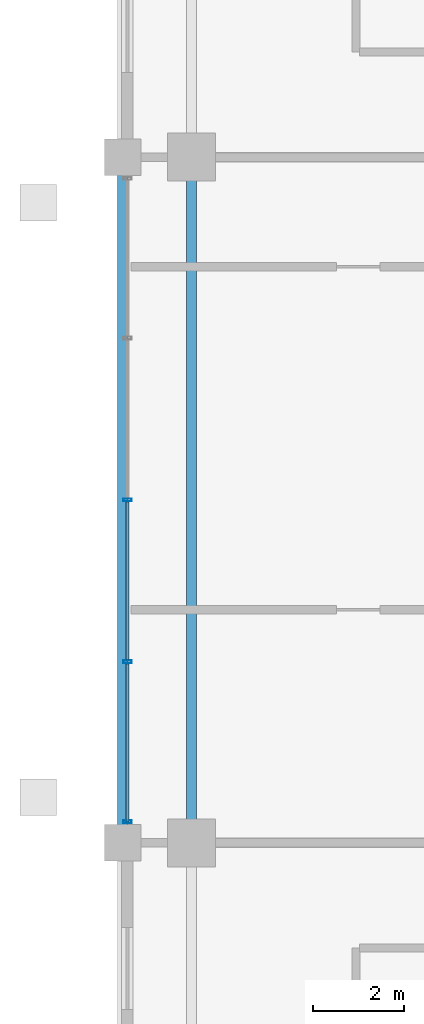
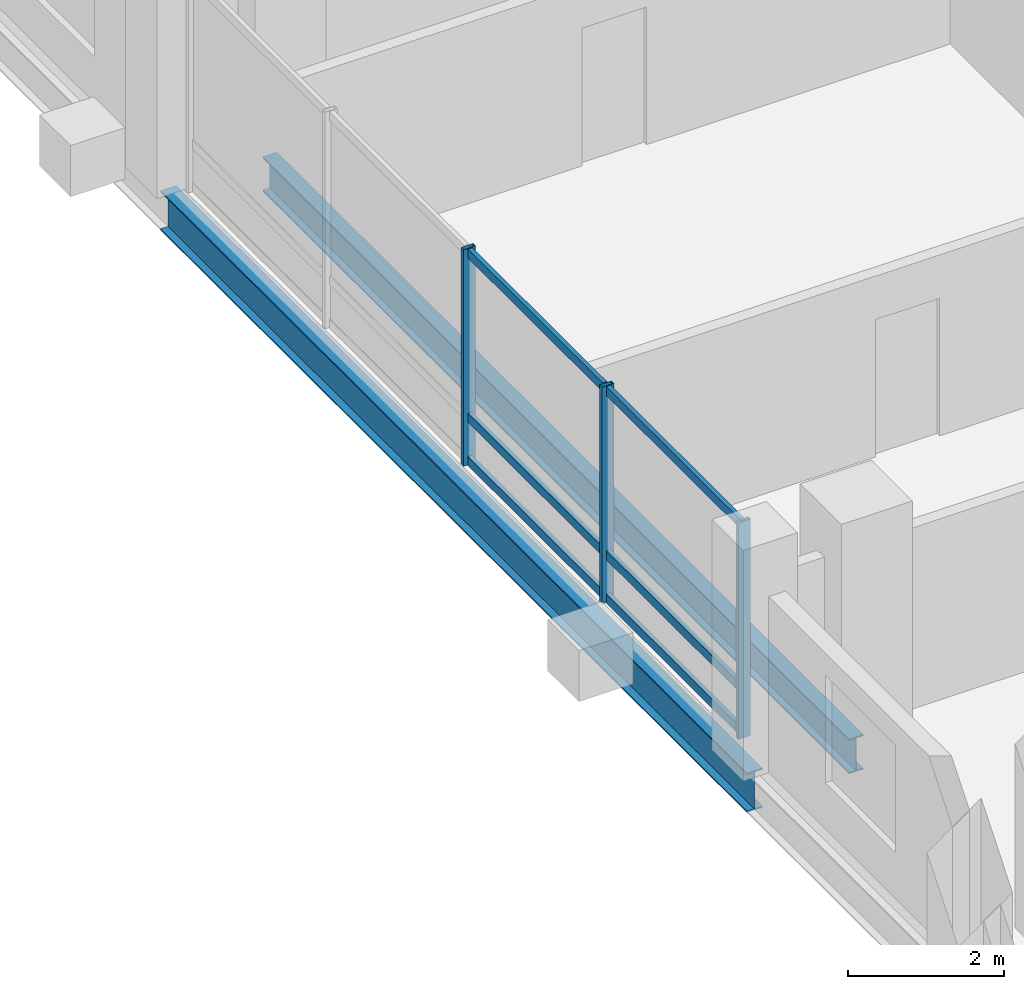
# One storey, part 6 of 24: 9 members, 2 beams, 1 element without a shape of its own.
"""IFC4 building model written with IfcOpenShell, lengths in metres."""

from ifc_helpers import new_model, si_unit, direction, frame, origin, origin_2d, place, context, subcontext, project, spatial, hollow_rectangle, i_section, extrude, material, layer, layer_set, material_profile, profile_set, type_object, element, aggregate, save


model = new_model("IFC4")

# Units and contexts
model_context = context("Model", 3, precision=1e-05, world=origin(), true_north=direction((0.0, 1.0)))
body_context = subcontext(model_context, "Body", "Model", "MODEL_VIEW")
ifc_project = project(units=[si_unit("LENGTHUNIT", "METRE"), si_unit("AREAUNIT", "SQUARE_METRE"), si_unit("VOLUMEUNIT", "CUBIC_METRE"), si_unit("PLANEANGLEUNIT", "RADIAN"), si_unit("MASSUNIT", "GRAM", prefix="KILO")], contexts=[model_context])

# Site, building, storey
site_placement = place(None, origin())
site = spatial("IfcSite", under=ifc_project, at=site_placement, CompositionType="ELEMENT")
building_placement = place(site_placement, origin())
building = spatial("IfcBuilding", under=site, at=building_placement, Name="Barlavira Tower and Art Museum", CompositionType="ELEMENT")
storey_placement = place(building_placement, frame((0.0, 0.0, 201.60009765625)))
storey = spatial("IfcBuildingStorey", under=building, at=storey_placement, Name="L52", CompositionType="ELEMENT", Elevation=201.60009765625)

# Curtain wall, members
ifc_material_1 = material(Name="Low-iron coastal laminated glass", Category="glass")
ifc_layer = layer(ifc_material_1, 0.199951171875, Name="Low-iron coastal laminated glass")
ifc_layer_set = layer_set([ifc_layer], Name="Low-iron coastal laminated glass")
curtain_wall_type = type_object("IfcCurtainWallType", Name="Pale-Metal Unitised Curtain Wall Zone 3", PredefinedType="NOTDEFINED", material=ifc_layer_set)
curtain_wall_placement = place(storey_placement, origin())
curtain_wall = element("IfcCurtainWall", 1, at=curtain_wall_placement, inside=storey, type_object=curtain_wall_type, Name="L52 Curtain Wall CW3-L52-W-B3", PredefinedType="NOTDEFINED")
ifc_material_2 = material(Name="Pale anodised aluminium", Category="aluminium")
ifc_material_profile_1 = material_profile(ifc_material_2, hollow_rectangle(XDim=0.06494140625, YDim=0.179931640625, WallThickness=0.00390625, at=origin_2d()), Name="ALU-MULL 65x180x4")
ifc_profile_set_1 = profile_set([ifc_material_profile_1], Name="Pale anodised aluminium")
member_type_1 = type_object("IfcMemberType", Name="Curtain Wall Pale-Metal Mullion 65x180", PredefinedType="MULLION", material=ifc_profile_set_1)
member_1_placement = place(storey_placement, frame((-18.39990234375, 0.0, 0.0), z_axis=(0.0, 0.0, 1.0), x_axis=(0.0, -1.0, 0.0)))
member_1 = element("IfcMember", 2, at=member_1_placement, type_object=member_type_1, Name="CW3-L52-W-B3 Mullion 2", PredefinedType="MULLION", context=body_context, shape_type="SweptSolid", body=[
    extrude(hollow_rectangle(XDim=0.06494140625, YDim=0.179931640625, WallThickness=0.00390625, at=origin_2d()), origin(), (0.0, 0.0, 1.0), 3.3798828125),
])
member_2_placement = place(storey_placement, frame((-18.39990234375, -3.5400390625, 0.0), z_axis=(0.0, 0.0, 1.0), x_axis=(0.0, -1.0, 0.0)))
member_2 = element("IfcMember", 3, at=member_2_placement, type_object=member_type_1, Name="CW3-L52-W-B3 Mullion 3", PredefinedType="MULLION", context=body_context, shape_type="SweptSolid", body=[
    extrude(hollow_rectangle(XDim=0.06494140625, YDim=0.179931640625, WallThickness=0.00390625, at=origin_2d()), origin(), (0.0, 0.0, 1.0), 3.3798828125),
])
member_3_placement = place(storey_placement, frame((-18.39990234375, -7.034912109375, 0.0), z_axis=(0.0, 0.0, 1.0), x_axis=(0.0, -1.0, 0.0)))
member_3 = element("IfcMember", 4, at=member_3_placement, type_object=member_type_1, Name="CW3-L52-W-B3 Mullion 4", PredefinedType="MULLION", context=body_context, shape_type="SweptSolid", body=[
    extrude(hollow_rectangle(XDim=0.06494140625, YDim=0.179931640625, WallThickness=0.00390625, at=origin_2d()), origin(), (0.0, 0.0, 1.0), 3.3798828125),
])
ifc_material_profile_2 = material_profile(ifc_material_2, hollow_rectangle(XDim=0.06494140625, YDim=0.139892578125, WallThickness=0.00390625, at=origin_2d()), Name="ALU-TRAN 65x140x4")
ifc_profile_set_2 = profile_set([ifc_material_profile_2], Name="Pale anodised aluminium")
member_type_2 = type_object("IfcMemberType", Name="Curtain Wall Pale-Metal Transom 65x140", PredefinedType="USERDEFINED", material=ifc_profile_set_2)
member_4_placement = place(storey_placement, frame((-18.39990234375, -0.044921875, 0.06982421875), z_axis=(0.0, -1.0, 0.0), x_axis=(1.0, 0.0, 0.0)))
member_4 = element("IfcMember", 5, at=member_4_placement, type_object=member_type_2, Name="CW3-L52-W-B3 Transom 2.1", ObjectType="TRANSOM", PredefinedType="USERDEFINED", context=body_context, shape_type="SweptSolid", body=[
    extrude(hollow_rectangle(XDim=0.06494140625, YDim=0.139892578125, WallThickness=0.00390625, at=origin_2d()), origin(), (0.0, 0.0, 1.0), 3.4501953125),
])
member_5_placement = place(storey_placement, frame((-18.39990234375, -0.044921875, 0.743896484375), z_axis=(0.0, -1.0, 0.0), x_axis=(1.0, 0.0, 0.0)))
member_5 = element("IfcMember", 6, at=member_5_placement, type_object=member_type_2, Name="CW3-L52-W-B3 Transom 2.2", ObjectType="TRANSOM", PredefinedType="USERDEFINED", context=body_context, shape_type="SweptSolid", body=[
    extrude(hollow_rectangle(XDim=0.06494140625, YDim=0.139892578125, WallThickness=0.00390625, at=origin_2d()), origin(), (0.0, 0.0, 1.0), 3.4501953125),
])
member_6_placement = place(storey_placement, frame((-18.39990234375, -0.044921875, 3.309814453125), z_axis=(0.0, -1.0, 0.0), x_axis=(1.0, 0.0, 0.0)))
member_6 = element("IfcMember", 7, at=member_6_placement, type_object=member_type_2, Name="CW3-L52-W-B3 Transom 2.3", ObjectType="TRANSOM", PredefinedType="USERDEFINED", context=body_context, shape_type="SweptSolid", body=[
    extrude(hollow_rectangle(XDim=0.06494140625, YDim=0.139892578125, WallThickness=0.00390625, at=origin_2d()), origin(), (0.0, 0.0, 1.0), 3.4501953125),
])
member_7_placement = place(storey_placement, frame((-18.39990234375, -3.5849609375, 0.06982421875), z_axis=(0.0, -1.0, 0.0), x_axis=(1.0, 0.0, 0.0)))
member_7 = element("IfcMember", 8, at=member_7_placement, type_object=member_type_2, Name="CW3-L52-W-B3 Transom 3.1", ObjectType="TRANSOM", PredefinedType="USERDEFINED", context=body_context, shape_type="SweptSolid", body=[
    extrude(hollow_rectangle(XDim=0.06494140625, YDim=0.139892578125, WallThickness=0.00390625, at=origin_2d()), origin(), (0.0, 0.0, 1.0), 3.449951171875),
])
member_8_placement = place(storey_placement, frame((-18.39990234375, -3.5849609375, 0.743896484375), z_axis=(0.0, -1.0, 0.0), x_axis=(1.0, 0.0, 0.0)))
member_8 = element("IfcMember", 9, at=member_8_placement, type_object=member_type_2, Name="CW3-L52-W-B3 Transom 3.2", ObjectType="TRANSOM", PredefinedType="USERDEFINED", context=body_context, shape_type="SweptSolid", body=[
    extrude(hollow_rectangle(XDim=0.06494140625, YDim=0.139892578125, WallThickness=0.00390625, at=origin_2d()), origin(), (0.0, 0.0, 1.0), 3.449951171875),
])
member_9_placement = place(storey_placement, frame((-18.39990234375, -3.5849609375, 3.309814453125), z_axis=(0.0, -1.0, 0.0), x_axis=(1.0, 0.0, 0.0)))
member_9 = element("IfcMember", 10, at=member_9_placement, type_object=member_type_2, Name="CW3-L52-W-B3 Transom 3.3", ObjectType="TRANSOM", PredefinedType="USERDEFINED", context=body_context, shape_type="SweptSolid", body=[
    extrude(hollow_rectangle(XDim=0.06494140625, YDim=0.139892578125, WallThickness=0.00390625, at=origin_2d()), origin(), (0.0, 0.0, 1.0), 3.449951171875),
])
aggregate(curtain_wall, [member_1, member_2, member_3, member_4, member_5, member_6, member_7, member_8, member_9])

# Beams
ifc_material_3 = material(Name="Steel S355", Category="steel")
ifc_material_profile_3 = material_profile(ifc_material_3, i_section(OverallWidth=0.22998046875, OverallDepth=0.616943359375, WebThickness=0.01318359375, FlangeThickness=0.022216796875, at=origin_2d()), Name="W610x140.0")
ifc_profile_set_3 = profile_set([ifc_material_profile_3], Name="Steel S355")
beam_type_1 = type_object("IfcBeamType", Name="Upper Shaft Spandrel Edge Beam W610x140 Steel S355", PredefinedType="SPANDREL", material=ifc_profile_set_3)
beam_1_placement = place(storey_placement, frame((-18.5, -7.5, -0.528564453125), z_axis=(0.0, 1.0, 0.0), x_axis=(-1.0, 0.0, 0.0)))
element("IfcBeam", 11, at=beam_1_placement, inside=storey, type_object=beam_type_1, Name="L52 Spandrel 14", PredefinedType="SPANDREL", context=body_context, shape_type="SweptSolid", body=[
    extrude(i_section(OverallWidth=0.22998046875, OverallDepth=0.616943359375, WebThickness=0.01318359375, FlangeThickness=0.022216796875, at=origin_2d()), origin(), (0.0, 0.0, 1.0), 15.0),
])
ifc_material_profile_4 = material_profile(ifc_material_3, i_section(OverallWidth=0.2109375, OverallDepth=0.5390625, WebThickness=0.01171875, FlangeThickness=0.018798828125, at=origin_2d()), Name="W530x109.0")
ifc_profile_set_4 = profile_set([ifc_material_profile_4], Name="Steel S355")
beam_type_2 = type_object("IfcBeamType", Name="Zone 3-4 Primary Floor Girder W530x109 Steel S355", PredefinedType="BEAM", material=ifc_profile_set_4)
beam_2_placement = place(storey_placement, frame((-17.0, -7.5, -0.489501953125), z_axis=(0.0, 1.0, 0.0), x_axis=(-1.0, 0.0, 0.0)))
element("IfcBeam", 12, at=beam_2_placement, inside=storey, type_object=beam_type_2, Name="L52 Girder M-W2", PredefinedType="BEAM", context=body_context, shape_type="SweptSolid", body=[
    extrude(i_section(OverallWidth=0.2109375, OverallDepth=0.5390625, WebThickness=0.01171875, FlangeThickness=0.018798828125, at=origin_2d()), origin(), (0.0, 0.0, 1.0), 15.0),
])

save(model, "model.ifc")
